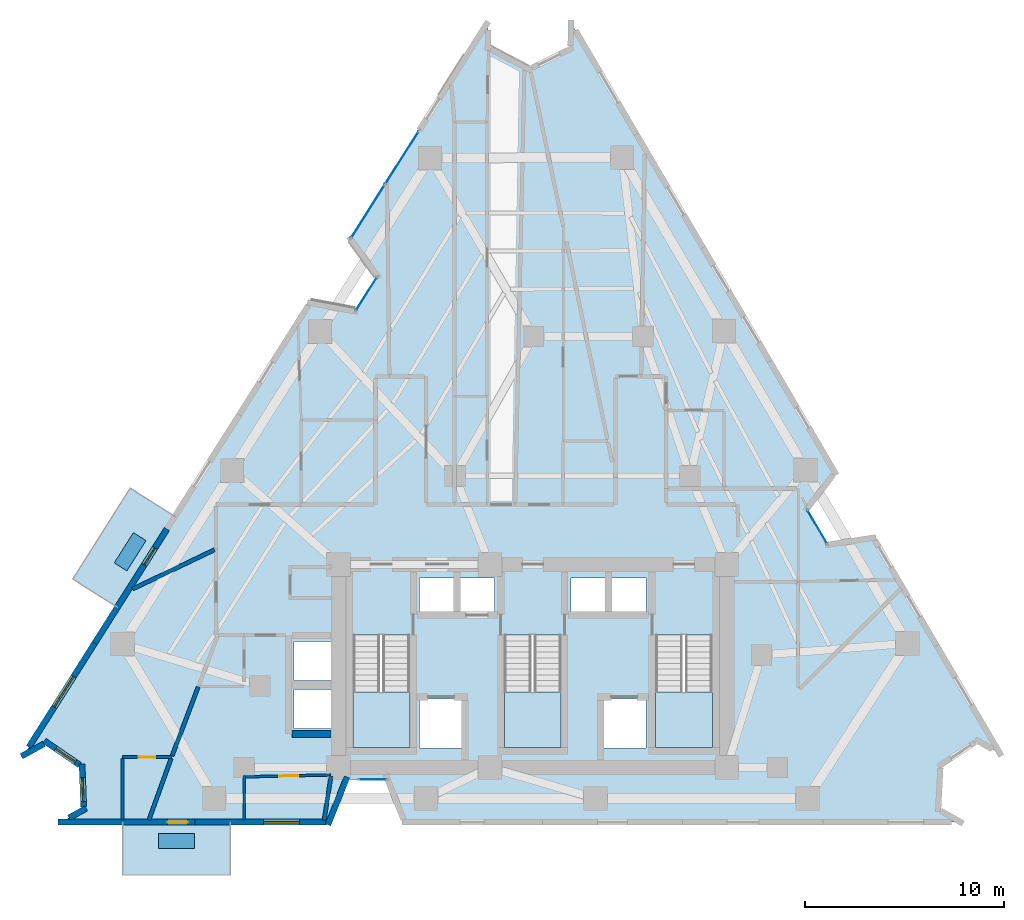
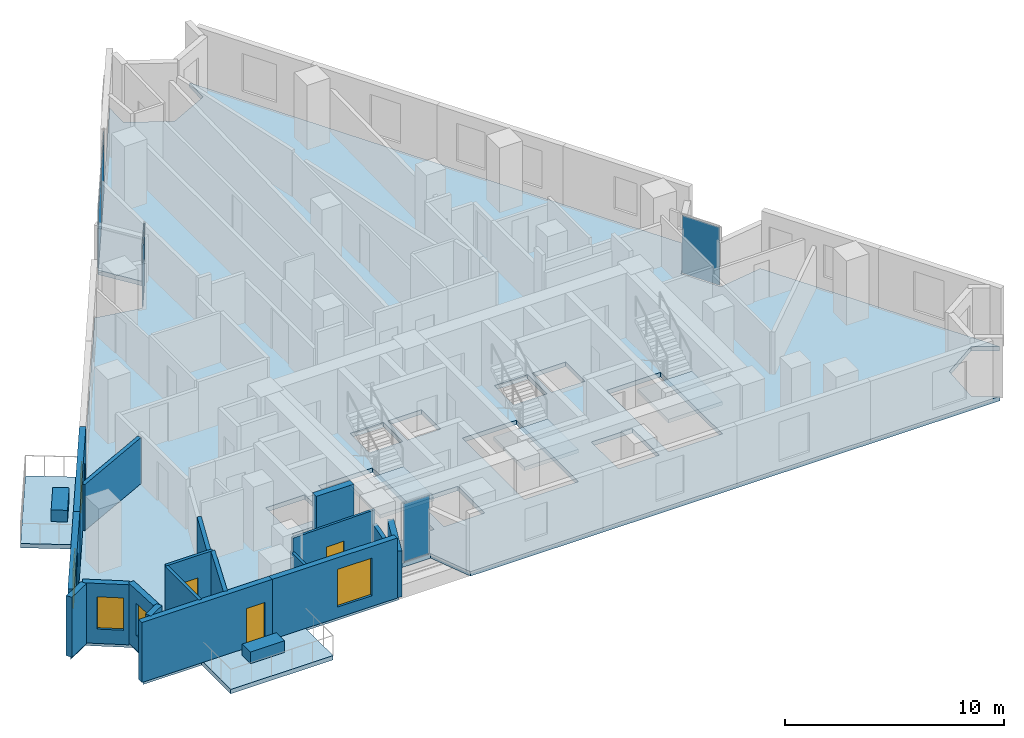
# One storey, part 6 of 12: 18 walls, 7 plates, 6 slabs, 4 doors, 4 windows, 8 openings, 7 elements without a shape of their own.
"""IFC4 building model written with IfcOpenShell, lengths in metres."""

from ifc_helpers import new_model, si_unit, direction, frame, frame_2d, origin, origin_2d, place, context, subcontext, project, spatial, polyline, rectangle, outline, extrude, material, layer, layer_set, type_object, element, fill, aggregate, save


model = new_model("IFC4")

# Units and contexts
model_context = context("Model", 3, precision=1e-05, world=origin(), true_north=direction((0.0, 1.0)))
body_context = subcontext(model_context, "Body", "Model", "MODEL_VIEW")
ifc_project = project(units=[si_unit("LENGTHUNIT", "METRE"), si_unit("AREAUNIT", "SQUARE_METRE"), si_unit("VOLUMEUNIT", "CUBIC_METRE"), si_unit("PLANEANGLEUNIT", "RADIAN"), si_unit("MASSUNIT", "GRAM", prefix="KILO")], contexts=[model_context])

# Site, building, storey
site_placement = place(None, origin())
site = spatial("IfcSite", under=ifc_project, at=site_placement, CompositionType="ELEMENT")
building_placement = place(site_placement, origin())
building = spatial("IfcBuilding", under=site, at=building_placement, Name="Almagre Mirador Tower", CompositionType="ELEMENT")
storey_placement = place(building_placement, frame((0.0, 0.0, 121.199951171875)))
storey = spatial("IfcBuildingStorey", under=building, at=storey_placement, Name="L30", CompositionType="ELEMENT", Elevation=121.199951171875)

# Curtain wall, plate
ifc_material_1 = material(Name="Black anodized aluminium", Category="aluminium")
ifc_layer_1 = layer(ifc_material_1, 0.169921875)
ifc_layer_set_1 = layer_set([ifc_layer_1], Name="Black anodized aluminium")
curtain_wall_type_1 = type_object("IfcCurtainWallType", Name="CW-CRS-SYS", PredefinedType="NOTDEFINED", material=ifc_layer_set_1)
curtain_wall_1_placement = place(storey_placement, origin())
curtain_wall_1 = element("IfcCurtainWall", 1, at=curtain_wall_1_placement, inside=storey, type_object=curtain_wall_type_1, Name="L30 vertical crease curtain wall 01", PredefinedType="NOTDEFINED")
ifc_material_2 = material(Name="Dark solar-control laminated hurricane glass", Category="glass")
ifc_layer_2 = layer(ifc_material_2, 0.028076171875)
ifc_layer_set_2 = layer_set([ifc_layer_2], Name="Dark solar-control laminated hurricane glass")
plate_type_1 = type_object("IfcPlateType", Name="PLT-GLZ-28", PredefinedType="CURTAIN_PANEL", material=ifc_layer_set_2)
plate_1_placement = place(storey_placement, frame((28.947998046875, 28.344482421875, 0.06005859375), z_axis=(0.0, 0.0, 1.0), x_axis=(0.535109014612, 0.844783015029, 0.0)))
plate_1 = element("IfcPlate", 2, at=plate_1_placement, type_object=plate_type_1, Name="CW-4 panel 1.1", PredefinedType="CURTAIN_PANEL", context=body_context, shape_type="SweptSolid", body=[
    extrude(rectangle(XDim=1.96923828125, YDim=0.028076171875, at=origin_2d()), origin(), (0.0, 0.0, 1.0), 3.22998046875),
])
aggregate(curtain_wall_1, [plate_1])

curtain_wall_2_placement = place(storey_placement, origin())
curtain_wall_2 = element("IfcCurtainWall", 3, at=curtain_wall_2_placement, inside=storey, type_object=curtain_wall_type_1, Name="L30 vertical crease curtain wall 03", PredefinedType="NOTDEFINED")
plate_2_placement = place(storey_placement, frame((51.593994140625, 16.638916015625, 0.06005859375), z_axis=(0.0, 0.0, 1.0), x_axis=(0.506308890966, -0.862352194251, 0.0)))
plate_2 = element("IfcPlate", 4, at=plate_2_placement, type_object=plate_type_1, Name="CW-4 panel 1.1", PredefinedType="CURTAIN_PANEL", context=body_context, shape_type="SweptSolid", body=[
    extrude(rectangle(XDim=1.9697265625, YDim=0.028076171875, at=origin_2d()), origin(), (0.0, 0.0, 1.0), 3.22998046875),
])
aggregate(curtain_wall_2, [plate_2])

curtain_wall_3_placement = place(storey_placement, origin())
curtain_wall_3 = element("IfcCurtainWall", 5, at=curtain_wall_3_placement, inside=storey, type_object=curtain_wall_type_1, Name="L30 vertical crease curtain wall 04", PredefinedType="NOTDEFINED")
plate_3_placement = place(storey_placement, frame((29.261474609375, 3.949951171875, 0.06005859375), z_axis=(0.0, 0.0, 1.0), x_axis=(-1.0, 0.0, 0.0)))
plate_3 = element("IfcPlate", 6, at=plate_3_placement, type_object=plate_type_1, Name="CW-4 panel 1.1", PredefinedType="CURTAIN_PANEL", context=body_context, shape_type="SweptSolid", body=[
    extrude(rectangle(XDim=1.383056640625, YDim=0.028076171875, at=origin_2d()), origin(), (0.0, 0.0, 1.0), 3.22998046875),
])
aggregate(curtain_wall_3, [plate_3])

# Curtain wall, plates
ifc_material_3 = material(Name="Black anodized aluminium", Category="aluminium")
ifc_layer_3 = layer(ifc_material_3, 0.199951171875)
ifc_layer_set_3 = layer_set([ifc_layer_3], Name="Black anodized aluminium")
curtain_wall_type_2 = type_object("IfcCurtainWallType", Name="CW-RES-H-SYS", PredefinedType="NOTDEFINED", material=ifc_layer_set_3)
curtain_wall_4_placement = place(storey_placement, origin())
curtain_wall_4 = element("IfcCurtainWall", 7, at=curtain_wall_4_placement, inside=storey, type_object=curtain_wall_type_2, Name="L30 curtain wall run 02", PredefinedType="NOTDEFINED")
ifc_material_4 = material(Name="Dark solar-control laminated hurricane glass", Category="glass")
ifc_layer_4 = layer(ifc_material_4, 0.035888671875)
ifc_layer_set_4 = layer_set([ifc_layer_4], Name="Dark solar-control laminated hurricane glass")
plate_type_2 = type_object("IfcPlateType", Name="PLT-GLZ-36", PredefinedType="CURTAIN_PANEL", material=ifc_layer_set_4)
plate_4_placement = place(storey_placement, frame((29.020751953125, 32.478759765625, 0.06494140625), z_axis=(0.0, 0.0, 1.0), x_axis=(0.534886400976, 0.844923983593, 0.0)))
plate_4 = element("IfcPlate", 8, at=plate_4_placement, type_object=plate_type_2, Name="CW-3 panel 1.1", PredefinedType="CURTAIN_PANEL", context=body_context, shape_type="SweptSolid", body=[
    extrude(rectangle(XDim=3.133544921875, YDim=0.035888671875, at=origin_2d()), origin(), (0.0, 0.0, 1.0), 3.219970703125),
])
plate_5_placement = place(storey_placement, frame((30.731689453125, 35.18115234375, 0.06494140625), z_axis=(0.0, 0.0, 1.0), x_axis=(0.534886400976, 0.844923983593, 0.0)))
plate_5 = element("IfcPlate", 9, at=plate_5_placement, type_object=plate_type_2, Name="CW-3 panel 2.1", PredefinedType="CURTAIN_PANEL", context=body_context, shape_type="SweptSolid", body=[
    extrude(rectangle(XDim=3.133544921875, YDim=0.035888671875, at=origin_2d()), origin(), (0.0, 0.0, 1.0), 3.219970703125),
])
aggregate(curtain_wall_4, [plate_4, plate_5])

# Plates
ifc_material_5 = material(Name="Precast concrete C50/60", Category="concrete")
ifc_layer_5 = layer(ifc_material_5, 0.64990234375)
ifc_layer_set_5 = layer_set([ifc_layer_5], Name="Precast concrete C50/60")
plate_type_3 = type_object("IfcPlateType", Name="PLT-PLANTER-1800", PredefinedType="USERDEFINED", material=ifc_layer_set_5)
for number, where, z_axis, x_axis, name in (
    (10, (19.39990234375, 0.85009765625, 0.0), (0.0, 0.0, 1.0), (1.0, 0.0, 0.0), "L30 south balcony structural tree planter 1"),
    (11, (17.076904296875, 15.387939453125, 0.0), (0.0, 0.0, 1.0), (-0.53486859073, -0.84493525826, 0.0), "L30 west balcony structural tree planter 2"),
):
    element("IfcPlate", number, at=place(storey_placement, frame(where, z_axis=z_axis, x_axis=x_axis)), inside=storey, type_object=plate_type_3, Name=name, ObjectType="PLANTER", PredefinedType="USERDEFINED", context=body_context, shape_type="SweptSolid", body=[
        extrude(rectangle(XDim=1.800048828125, YDim=0.75, at=origin_2d()), origin(), (0.0, 0.0, 1.0), 0.64990234375),
    ])

# Slabs
ifc_material_6 = material(Name="Concrete C45/55", Category="concrete")
ifc_layer_6 = layer(ifc_material_6, 0.239990234375)
ifc_layer_set_6 = layer_set([ifc_layer_6], Name="Concrete C45/55")
slab_type_1 = type_object("IfcSlabType", Name="SLB-BAL-240", PredefinedType="USERDEFINED", material=ifc_layer_set_6)
slab_1_placement = place(storey_placement, frame((0.0, 0.0, -0.239990234375)))
element("IfcSlab", 12, at=slab_1_placement, inside=storey, type_object=slab_type_1, Name="L30 south planted tree balcony 1", ObjectType="BALCONY", PredefinedType="USERDEFINED", context=body_context, shape_type="SweptSolid", body=[
    extrude(outline(polyline([(16.699951171875, 1.820068359375), (22.10009765625, 1.820068359375), (22.10009765625, -0.85009765625), (16.699951171875, -0.85009765625), (16.699951171875, 1.820068359375)])), origin(), (0.0, 0.0, 1.0), 0.239990234375),
])
slab_2_placement = place(storey_placement, frame((0.0, 0.0, -0.239990234375)))
element("IfcSlab", 13, at=slab_2_placement, inside=storey, type_object=slab_type_1, Name="L30 west planted tree balcony 2", ObjectType="BALCONY", PredefinedType="USERDEFINED", context=body_context, shape_type="SweptSolid", body=[
    extrude(outline(polyline([(19.341064453125, 17.14990234375), (16.452880859375, 12.587890625), (14.197021484375, 14.01611328125), (17.0849609375, 18.5791015625), (19.341064453125, 17.14990234375)])), origin(), (0.0, 0.0, 1.0), 0.239990234375),
])
ifc_material_7 = material(Name="Concrete C45/55", Category="concrete")
ifc_layer_7 = layer(ifc_material_7, 0.25)
ifc_layer_set_7 = layer_set([ifc_layer_7], Name="Concrete C45/55")
slab_type_2 = type_object("IfcSlabType", Name="SLB-FLR-250", PredefinedType="FLOOR", material=ifc_layer_set_7)
slab_3_placement = place(storey_placement, frame((0.0, 0.0, -0.25)))
element("IfcSlab", 14, at=slab_3_placement, inside=storey, type_object=slab_type_2, Name="L30 structural floor slab", PredefinedType="FLOOR", context=body_context, shape_type="SweptSolid", body=[
    extrude(outline(polyline([(11.739013671875, 5.179931640625), (12.883056640625, 5.80908203125), (14.6630859375, 4.5869140625), (14.742919921875, 2.428955078125), (13.60009765625, 1.800048828125), (27.068115234375, 1.800048828125), (27.923095703125, 3.949951171875), (30.012939453125, 3.949951171875), (30.867919921875, 1.800048828125), (58.800048828125, 1.800048828125), (57.6669921875, 2.447998046875), (57.783935546875, 4.672119140625), (59.64208984375, 5.89794921875), (60.77490234375, 5.2490234375), (54.409912109375, 16.089111328125), (52.123046875, 15.738037109375), (51.06494140625, 17.5400390625), (52.486083984375, 19.365966796875), (39.22509765625, 41.950927734375), (39.2041015625, 40.64599609375), (37.10302734375, 39.62109375), (35.0390625, 40.715087890625), (35.06103515625, 42.02001953125), (28.14794921875, 31.10009765625), (29.507080078125, 29.22705078125), (28.388916015625, 27.4619140625), (26.114990234375, 27.888916015625), (11.739013671875, 5.179931640625)]), holes=[polyline([(43.47509765625, 5.550048828125), (43.47509765625, 11.196044921875), (46.324951171875, 11.196044921875), (46.324951171875, 5.550048828125), (43.47509765625, 5.550048828125)]), polyline([(40.820068359375, 5.52001953125), (40.820068359375, 7.97998046875), (42.97998046875, 7.97998046875), (42.97998046875, 5.52001953125), (40.820068359375, 5.52001953125)]), polyline([(41.219970703125, 12.320068359375), (41.219970703125, 14.080078125), (42.97998046875, 14.080078125), (42.97998046875, 12.320068359375), (41.219970703125, 12.320068359375)]), polyline([(39.219970703125, 12.320068359375), (39.219970703125, 14.080078125), (40.97998046875, 14.080078125), (40.97998046875, 12.320068359375), (39.219970703125, 12.320068359375)]), polyline([(35.875, 11.196044921875), (38.72509765625, 11.196044921875), (38.72509765625, 5.550048828125), (35.875, 5.550048828125), (35.875, 11.196044921875)]), polyline([(35.3798828125, 12.320068359375), (33.6201171875, 12.320068359375), (33.6201171875, 14.080078125), (35.3798828125, 14.080078125), (35.3798828125, 12.320068359375)]), polyline([(33.780029296875, 5.52001953125), (31.6201171875, 5.52001953125), (31.6201171875, 7.97998046875), (33.780029296875, 7.97998046875), (33.780029296875, 5.52001953125)]), polyline([(31.6201171875, 12.320068359375), (31.6201171875, 14.080078125), (33.3798828125, 14.080078125), (33.3798828125, 12.320068359375), (31.6201171875, 12.320068359375)]), polyline([(28.27490234375, 5.550048828125), (28.27490234375, 11.196044921875), (31.125, 11.196044921875), (31.125, 5.550048828125), (28.27490234375, 5.550048828125)]), polyline([(25.320068359375, 8.919921875), (25.320068359375, 10.8798828125), (27.3798828125, 10.8798828125), (27.3798828125, 8.919921875), (25.320068359375, 8.919921875)]), polyline([(27.3798828125, 6.52001953125), (25.320068359375, 6.52001953125), (25.320068359375, 8.47998046875), (27.3798828125, 8.47998046875), (27.3798828125, 6.52001953125)])]), origin(), (0.0, 0.0, 1.0), 0.25),
])

# Stair, slab
ifc_material_8 = material(Name="Concrete C45/55", Category="concrete")
stair_type = type_object("IfcStairType", Name="STR-DL-3600", PredefinedType="HALF_TURN_STAIR", material=ifc_material_8)
stair_1_placement = place(storey_placement, origin())
stair_1 = element("IfcStair", 15, at=stair_1_placement, inside=storey, type_object=stair_type, Name="L30 Protected exit stair ST-1", PredefinedType="HALF_TURN_STAIR")
ifc_material_9 = material(Name="Concrete C45/55", Category="concrete")
ifc_layer_8 = layer(ifc_material_9, 0.199951171875)
ifc_layer_set_8 = layer_set([ifc_layer_8], Name="Concrete C45/55")
slab_type_3 = type_object("IfcSlabType", Name="SLB-LND-200", PredefinedType="LANDING", material=ifc_layer_set_8)
slab_4_placement = place(storey_placement, frame((0.0, 0.0, 1.60009765625)))
slab_4 = element("IfcSlab", 16, at=slab_4_placement, type_object=slab_type_3, Name="ST-1 landing 1", PredefinedType="LANDING", context=body_context, shape_type="SweptSolid", body=[
    extrude(outline(polyline([(28.27490234375, 8.35009765625), (28.27490234375, 5.550048828125), (31.125, 5.550048828125), (31.125, 8.35009765625), (28.27490234375, 8.35009765625)])), origin(), (0.0, 0.0, 1.0), 0.199951171875),
])
aggregate(stair_1, [slab_4])

stair_2_placement = place(storey_placement, origin())
stair_2 = element("IfcStair", 17, at=stair_2_placement, inside=storey, type_object=stair_type, Name="L30 Protected exit stair ST-2", PredefinedType="HALF_TURN_STAIR")
slab_5_placement = place(storey_placement, frame((0.0, 0.0, 1.60009765625)))
slab_5 = element("IfcSlab", 18, at=slab_5_placement, type_object=slab_type_3, Name="ST-2 landing 1", PredefinedType="LANDING", context=body_context, shape_type="SweptSolid", body=[
    extrude(outline(polyline([(35.875, 8.35009765625), (35.875, 5.550048828125), (38.72509765625, 5.550048828125), (38.72509765625, 8.35009765625), (35.875, 8.35009765625)])), origin(), (0.0, 0.0, 1.0), 0.199951171875),
])
aggregate(stair_2, [slab_5])

stair_3_placement = place(storey_placement, origin())
stair_3 = element("IfcStair", 19, at=stair_3_placement, inside=storey, type_object=stair_type, Name="L30 Protected exit stair ST-3", PredefinedType="HALF_TURN_STAIR")
slab_6_placement = place(storey_placement, frame((0.0, 0.0, 1.60009765625)))
slab_6 = element("IfcSlab", 20, at=slab_6_placement, type_object=slab_type_3, Name="ST-3 landing 1", PredefinedType="LANDING", context=body_context, shape_type="SweptSolid", body=[
    extrude(outline(polyline([(43.47509765625, 8.35009765625), (43.47509765625, 5.550048828125), (46.324951171875, 5.550048828125), (46.324951171875, 8.35009765625), (43.47509765625, 8.35009765625)])), origin(), (0.0, 0.0, 1.0), 0.199951171875),
])
aggregate(stair_3, [slab_6])

# Wall
ifc_material_10 = material(Name="Precast concrete C50/60", Category="concrete")
ifc_layer_9 = layer(ifc_material_10, 0.300048828125)
ifc_layer_set_9 = layer_set([ifc_layer_9], Name="Precast concrete C50/60")
wall_type_1 = type_object("IfcWallType", Name="WAL-EXT-300", PredefinedType="SOLIDWALL", material=ifc_layer_set_9)
wall_1_placement = place(storey_placement, frame((27.974609375, 4.080078125, 0.0), z_axis=(0.0, 0.0, 1.0), x_axis=(-0.369458593648, -0.929247194012, 0.0)))
element("IfcWall", 21, at=wall_1_placement, inside=storey, type_object=wall_type_1, Name="L30 expressed almagre precast frame wall 25", PredefinedType="SOLIDWALL", context=body_context, shape_type="SweptSolid", body=[
    extrude(rectangle(XDim=2.59375, YDim=0.300048828125, at=frame_2d((1.296875, 0.0))), origin(), (0.0, 0.0, 1.0), 2.574951171875),
])

# Wall, opening, window
wall_2_placement = place(storey_placement, frame((26.93310546875, 1.800048828125, 0.0), z_axis=(0.0, 0.0, 1.0), x_axis=(-1.0, 0.0, 0.0)))
wall_2 = element("IfcWall", 22, at=wall_2_placement, inside=storey, type_object=wall_type_1, Name="L30 expressed almagre precast frame wall 26", PredefinedType="SOLIDWALL", context=body_context, shape_type="SweptSolid", body=[
    extrude(rectangle(XDim=6.59912109375, YDim=0.300048828125, at=frame_2d((3.299560546875, 0.0))), origin(), (0.0, 0.0, 1.0), 3.35009765625),
])
opening_1_placement = place(wall_2_placement, frame((1.35009765625, 0.0, 0.60009765625)))
opening_1 = element("IfcOpeningElement", 23, at=opening_1_placement, cuts=wall_2, Name="Opening WN-01", PredefinedType="OPENING", context=body_context, shape_type="SweptSolid", body=[
    extrude(rectangle(XDim=1.800048828125, YDim=2.10009765625, at=frame_2d((0.89990234375, 1.050048828125))), frame((0.0, 0.159902, 0.0), z_axis=(0.0, -1.0, 0.0), x_axis=(1.0, 0.0, 0.0)), (0.0, 0.0, 1.0), 0.320049),
])
ifc_material_11 = material(Name="Dark solar-control laminated hurricane glass", Category="glass")
window_type_1 = type_object("IfcWindowType", Name="WIN-1800X2100", PartitioningType="DOUBLE_PANEL_VERTICAL", PredefinedType="WINDOW", material=ifc_material_11)
window_1_placement = place(opening_1_placement, origin())
window_1 = element("IfcWindow", 24, at=window_1_placement, inside=storey, type_object=window_type_1, Name="L30 recessed hurricane window L30-UB-KT", OverallHeight=2.10009765625, OverallWidth=1.800048828125, PartitioningType="SINGLE_PANEL", PredefinedType="WINDOW", context=body_context, shape_type="SweptSolid", body=[
    extrude(rectangle(XDim=1.800048828125, YDim=2.10009765625, at=frame_2d((0.89990234375, 1.050048828125))), frame((0.0, 0.030029296875, 0.0), z_axis=(0.0, -1.0, 0.0), x_axis=(1.0, 0.0, 0.0)), (0.0, 0.0, 1.0), 0.06005859375),
])
fill(opening_1, window_1)

# Wall, opening, door
wall_3_placement = place(storey_placement, frame((20.333984375, 1.800048828125, 0.0), z_axis=(0.0, 0.0, 1.0), x_axis=(-1.0, 0.0, 0.0)))
wall_3 = element("IfcWall", 25, at=wall_3_placement, inside=storey, type_object=wall_type_1, Name="L30 expressed almagre precast frame wall 27", PredefinedType="SOLIDWALL", context=body_context, shape_type="SweptSolid", body=[
    extrude(rectangle(XDim=6.8740234375, YDim=0.300048828125, at=frame_2d((3.43701171875, 0.0))), origin(), (0.0, 0.0, 1.0), 3.35009765625),
])
opening_2_placement = place(wall_3_placement, frame((0.370849609375, 0.0, 0.0)))
opening_2 = element("IfcOpeningElement", 26, at=opening_2_placement, cuts=wall_3, Name="Opening BD-01", PredefinedType="OPENING", context=body_context, shape_type="SweptSolid", body=[
    extrude(rectangle(XDim=1.0, YDim=2.199951171875, at=frame_2d((0.5, 1.10009765625))), frame((0.0, 0.159902, 0.0), z_axis=(0.0, -1.0, 0.0), x_axis=(1.0, 0.0, 0.0)), (0.0, 0.0, 1.0), 0.320049),
])
ifc_material_12 = material(Name="Black anodized aluminium and laminated glass", Category="aluminium")
door_type_1 = type_object("IfcDoorType", Name="DOR-BAL-1000X2200", OperationType="NOTDEFINED", PredefinedType="DOOR", material=ifc_material_12)
door_1_placement = place(opening_2_placement, origin())
door_1 = element("IfcDoor", 27, at=door_1_placement, inside=storey, type_object=door_type_1, Name="DR-0981 L30 south balcony glazed door 1", OperationType="SINGLE_SWING_RIGHT", OverallHeight=2.199951171875, OverallWidth=1.0, PredefinedType="DOOR", context=body_context, shape_type="SweptSolid", body=[
    extrude(rectangle(XDim=1.0, YDim=2.199951171875, at=frame_2d((0.5, 1.10009765625))), frame((0.0, 0.02490234375, 0.0), z_axis=(0.0, -1.0, 0.0), x_axis=(1.0, 0.0, 0.0)), (0.0, 0.0, 1.0), 0.050048828125),
])
fill(opening_2, door_1)

# Wall
wall_4_placement = place(storey_placement, frame((14.00732421875, 2.024169921875, 0.0), z_axis=(0.0, 0.0, 1.0), x_axis=(0.876089618579, 0.482148296914, 0.0)))
element("IfcWall", 28, at=wall_4_placement, inside=storey, type_object=wall_type_1, Name="L30 expressed almagre precast frame wall 28", PredefinedType="SOLIDWALL", context=body_context, shape_type="SweptSolid", body=[
    extrude(rectangle(XDim=0.979736328125, YDim=0.300048828125, at=frame_2d((0.48974609375, 0.0))), origin(), (0.0, 0.0, 1.0), 3.35009765625),
])

# Wall, opening, window
wall_5_placement = place(storey_placement, frame((14.737548828125, 2.578857421875, 0.0), z_axis=(0.0, 0.0, 1.0), x_axis=(-0.037141892545, 0.99931000186, 0.0)))
wall_5 = element("IfcWall", 29, at=wall_5_placement, inside=storey, type_object=wall_type_1, Name="L30 expressed almagre precast frame wall 29", PredefinedType="SOLIDWALL", context=body_context, shape_type="SweptSolid", body=[
    extrude(rectangle(XDim=2.1494140625, YDim=0.300048828125, at=frame_2d((1.07470703125, 0.0))), origin(), (0.0, 0.0, 1.0), 3.35009765625),
])
opening_3_placement = place(wall_5_placement, frame((0.260009765625, 0.0, 0.800048828125)))
opening_3 = element("IfcOpeningElement", 30, at=opening_3_placement, cuts=wall_5, Name="Opening WN-04", PredefinedType="OPENING", context=body_context, shape_type="SweptSolid", body=[
    extrude(rectangle(XDim=1.199951171875, YDim=1.800048828125, at=frame_2d((0.60009765625, 0.89990234375))), frame((0.0, 0.159902, 0.0), z_axis=(0.0, -1.0, 0.0), x_axis=(1.0, 0.0, 0.0)), (0.0, 0.0, 1.0), 0.320049),
])
ifc_material_13 = material(Name="Dark solar-control laminated hurricane glass", Category="glass")
window_type_2 = type_object("IfcWindowType", Name="WIN-1200X1800", PartitioningType="SINGLE_PANEL", PredefinedType="WINDOW", material=ifc_material_13)
window_2_placement = place(opening_3_placement, origin())
window_2 = element("IfcWindow", 31, at=window_2_placement, inside=storey, type_object=window_type_2, Name="L30 recessed hurricane window L30-UA-KT", OverallHeight=1.800048828125, OverallWidth=1.199951171875, PartitioningType="SINGLE_PANEL", PredefinedType="WINDOW", context=body_context, shape_type="SweptSolid", body=[
    extrude(rectangle(XDim=1.199951171875, YDim=1.800048828125, at=frame_2d((0.60009765625, 0.89990234375))), frame((0.0, 0.030029296875, 0.0), z_axis=(0.0, -1.0, 0.0), x_axis=(1.0, 0.0, 0.0)), (0.0, 0.0, 1.0), 0.06005859375),
])
fill(opening_3, window_2)

wall_6_placement = place(storey_placement, frame((14.539306640625, 4.671875, 0.0), z_axis=(0.0, 0.0, 1.0), x_axis=(-0.824422928204, 0.565974235678, 0.0)))
wall_6 = element("IfcWall", 32, at=wall_6_placement, inside=storey, type_object=wall_type_1, Name="L30 expressed almagre precast frame wall 30", PredefinedType="SOLIDWALL", context=body_context, shape_type="SweptSolid", body=[
    extrude(rectangle(XDim=2.149169921875, YDim=0.300048828125, at=frame_2d((1.07470703125, 0.0))), origin(), (0.0, 0.0, 1.0), 3.35009765625),
])
opening_4_placement = place(wall_6_placement, frame((0.260009765625, 0.0, 0.800048828125)))
opening_4 = element("IfcOpeningElement", 33, at=opening_4_placement, cuts=wall_6, Name="Opening WN-04", PredefinedType="OPENING", context=body_context, shape_type="SweptSolid", body=[
    extrude(rectangle(XDim=1.199951171875, YDim=1.800048828125, at=frame_2d((0.60009765625, 0.89990234375))), frame((0.0, 0.159902, 0.0), z_axis=(0.0, -1.0, 0.0), x_axis=(1.0, 0.0, 0.0)), (0.0, 0.0, 1.0), 0.320049),
])
window_3_placement = place(opening_4_placement, origin())
window_3 = element("IfcWindow", 34, at=window_3_placement, inside=storey, type_object=window_type_2, Name="L30 recessed hurricane window L30-UA-KT", OverallHeight=1.800048828125, OverallWidth=1.199951171875, PartitioningType="SINGLE_PANEL", PredefinedType="WINDOW", context=body_context, shape_type="SweptSolid", body=[
    extrude(rectangle(XDim=1.199951171875, YDim=1.800048828125, at=frame_2d((0.60009765625, 0.89990234375))), frame((0.0, 0.030029296875, 0.0), z_axis=(0.0, -1.0, 0.0), x_axis=(1.0, 0.0, 0.0)), (0.0, 0.0, 1.0), 0.06005859375),
])
fill(opening_4, window_3)

# Wall
wall_7_placement = place(storey_placement, frame((12.751708984375, 5.73681640625, 0.0), z_axis=(0.0, 0.0, 1.0), x_axis=(-0.876299432815, -0.481766856527, 0.0)))
element("IfcWall", 35, at=wall_7_placement, inside=storey, type_object=wall_type_1, Name="L30 expressed almagre precast frame wall 31", PredefinedType="SOLIDWALL", context=body_context, shape_type="SweptSolid", body=[
    extrude(rectangle(XDim=1.2958984375, YDim=0.300048828125, at=frame_2d((0.64794921875, 0.0))), origin(), (0.0, 0.0, 1.0), 3.35009765625),
])

# Wall, opening, window
wall_8_placement = place(storey_placement, frame((11.98779296875, 5.572998046875, 0.0), z_axis=(0.0, 0.0, 1.0), x_axis=(0.534894283056, 0.844918993723, 0.0)))
wall_8 = element("IfcWall", 36, at=wall_8_placement, inside=storey, type_object=wall_type_1, Name="L30 expressed almagre precast frame wall 32", PredefinedType="SOLIDWALL", context=body_context, shape_type="SweptSolid", body=[
    extrude(rectangle(XDim=6.18408203125, YDim=0.300048828125, at=frame_2d((3.092041015625, 0.0))), origin(), (0.0, 0.0, 1.0), 3.35009765625),
])
opening_5_placement = place(wall_8_placement, frame((2.39501953125, 0.0, 0.60009765625)))
opening_5 = element("IfcOpeningElement", 37, at=opening_5_placement, cuts=wall_8, Name="Opening WN-01", PredefinedType="OPENING", context=body_context, shape_type="SweptSolid", body=[
    extrude(rectangle(XDim=1.800048828125, YDim=2.10009765625, at=frame_2d((0.89990234375, 1.050048828125))), frame((0.0, 0.159902, 0.0), z_axis=(0.0, -1.0, 0.0), x_axis=(1.0, 0.0, 0.0)), (0.0, 0.0, 1.0), 0.320049),
])
window_4_placement = place(opening_5_placement, origin())
window_4 = element("IfcWindow", 38, at=window_4_placement, inside=storey, type_object=window_type_1, Name="L30 recessed hurricane window L30-UA-KT", OverallHeight=2.10009765625, OverallWidth=1.800048828125, PartitioningType="SINGLE_PANEL", PredefinedType="WINDOW", context=body_context, shape_type="SweptSolid", body=[
    extrude(rectangle(XDim=1.800048828125, YDim=2.10009765625, at=frame_2d((0.89990234375, 1.050048828125))), frame((0.0, 0.030029296875, 0.0), z_axis=(0.0, -1.0, 0.0), x_axis=(1.0, 0.0, 0.0)), (0.0, 0.0, 1.0), 0.06005859375),
])
fill(opening_5, window_4)

# Wall, opening, door
wall_9_placement = place(storey_placement, frame((15.295654296875, 10.798095703125, 0.0), z_axis=(0.0, 0.0, 1.0), x_axis=(0.534877542647, 0.84492959137, 0.0)))
wall_9 = element("IfcWall", 39, at=wall_9_placement, inside=storey, type_object=wall_type_1, Name="L30 expressed almagre precast frame wall 33", PredefinedType="SOLIDWALL", context=body_context, shape_type="SweptSolid", body=[
    extrude(rectangle(XDim=6.7890625, YDim=0.300048828125, at=frame_2d((3.39453125, 0.0))), origin(), (0.0, 0.0, 1.0), 3.35009765625),
])
opening_6_placement = place(wall_9_placement, frame((4.65771484375, 0.0, 0.0)))
opening_6 = element("IfcOpeningElement", 40, at=opening_6_placement, cuts=wall_9, Name="Opening BD-01", PredefinedType="OPENING", context=body_context, shape_type="SweptSolid", body=[
    extrude(rectangle(XDim=1.0, YDim=2.199951171875, at=frame_2d((0.5, 1.10009765625))), frame((0.0, 0.159902, 0.0), z_axis=(0.0, -1.0, 0.0), x_axis=(1.0, 0.0, 0.0)), (0.0, 0.0, 1.0), 0.320049),
])
door_2_placement = place(opening_6_placement, origin())
door_2 = element("IfcDoor", 41, at=door_2_placement, inside=storey, type_object=door_type_1, Name="DR-0982 L30 west balcony glazed door 2", OperationType="SINGLE_SWING_RIGHT", OverallHeight=2.199951171875, OverallWidth=1.0, PredefinedType="DOOR", context=body_context, shape_type="SweptSolid", body=[
    extrude(rectangle(XDim=1.0, YDim=2.199951171875, at=frame_2d((0.5, 1.10009765625))), frame((0.0, 0.02490234375, 0.0), z_axis=(0.0, -1.0, 0.0), x_axis=(1.0, 0.0, 0.0)), (0.0, 0.0, 1.0), 0.050048828125),
])
fill(opening_6, door_2)

ifc_material_14 = material(Name="Gypsum acoustic stud partition", Category="other")
ifc_layer_10 = layer(ifc_material_14, 0.125)
ifc_layer_set_10 = layer_set([ifc_layer_10], Name="Gypsum acoustic stud partition")
wall_type_2 = type_object("IfcWallType", Name="WAL-PRT-125-UTL", PredefinedType="PARTITIONING", material=ifc_layer_set_10)
wall_10_placement = place(storey_placement, frame((22.800048828125, 4.080078125, 0.0), z_axis=(0.0, 0.0, 1.0), x_axis=(0.999764473519, 0.021702476574, 0.0)))
wall_10 = element("IfcWall", 42, at=wall_10_placement, inside=storey, type_object=wall_type_2, Name="L30 interior partition 034", PredefinedType="PARTITIONING", context=body_context, shape_type="SweptSolid", body=[
    extrude(rectangle(XDim=4.3759765625, YDim=0.125, at=frame_2d((2.18798828125, 0.0))), origin(), (0.0, 0.0, 1.0), 3.35009765625),
])
opening_7_placement = place(wall_10_placement, frame((1.771240234375, 0.0, 0.0)))
opening_7 = element("IfcOpeningElement", 43, at=opening_7_placement, cuts=wall_10, Name="Opening UD-01", PredefinedType="OPENING", context=body_context, shape_type="SweptSolid", body=[
    extrude(rectangle(XDim=0.949951171875, YDim=2.199951171875, at=frame_2d((0.47509765625, 1.10009765625))), frame((0.0, 0.0725, 0.0), z_axis=(0.0, -1.0, 0.0), x_axis=(1.0, 0.0, 0.0)), (0.0, 0.0, 1.0), 0.145),
])
ifc_material_15 = material(Name="Solid American walnut timber", Category="wood")
door_type_2 = type_object("IfcDoorType", Name="DOR-UNR-950X2200", OperationType="NOTDEFINED", PredefinedType="DOOR", material=ifc_material_15)
door_3_placement = place(opening_7_placement, origin())
door_3 = element("IfcDoor", 44, at=door_3_placement, inside=storey, type_object=door_type_2, Name="DR-0993 L30 interior door L30-UB-LV to L30-UB-KT", OperationType="SINGLE_SWING_RIGHT", OverallHeight=2.199951171875, OverallWidth=0.949951171875, PredefinedType="DOOR", context=body_context, shape_type="SweptSolid", body=[
    extrude(rectangle(XDim=0.949951171875, YDim=2.199951171875, at=frame_2d((0.47509765625, 1.10009765625))), frame((0.0, 0.02490234375, 0.0), z_axis=(0.0, -1.0, 0.0), x_axis=(1.0, 0.0, 0.0)), (0.0, 0.0, 1.0), 0.050048828125),
])
fill(opening_7, door_3)

# Wall
wall_11_placement = place(storey_placement, frame((22.800048828125, 4.14990234375, 0.0), z_axis=(0.0, 0.0, 1.0), x_axis=(0.0, -1.0, 0.0)))
element("IfcWall", 45, at=wall_11_placement, inside=storey, type_object=wall_type_2, Name="L30 interior partition 037", PredefinedType="PARTITIONING", context=body_context, shape_type="SweptSolid", body=[
    extrude(rectangle(XDim=2.25, YDim=0.125, at=frame_2d((1.125, 0.0))), origin(), (0.0, 0.0, 1.0), 2.570068359375),
])

# Wall, opening, door
ifc_material_16 = material(Name="Gypsum acoustic stud partition", Category="other")
ifc_layer_11 = layer(ifc_material_16, 0.14990234375)
ifc_layer_set_11 = layer_set([ifc_layer_11], Name="Gypsum acoustic stud partition")
wall_type_3 = type_object("IfcWallType", Name="WAL-PRT-150-STD", PredefinedType="PARTITIONING", material=ifc_layer_set_11)
wall_12_placement = place(storey_placement, frame((16.68994140625, 5.070068359375, 0.0), z_axis=(0.0, 0.0, 1.0), x_axis=(1.0, 0.0, 0.0)))
wall_12 = element("IfcWall", 46, at=wall_12_placement, inside=storey, type_object=wall_type_3, Name="L30 interior partition 027", PredefinedType="PARTITIONING", context=body_context, shape_type="SweptSolid", body=[
    extrude(rectangle(XDim=2.469970703125, YDim=0.14990234375, at=frame_2d((1.23486328125, 0.0))), origin(), (0.0, 0.0, 1.0), 3.35009765625),
])
opening_8_placement = place(wall_12_placement, frame((0.81005859375, 0.0, 0.0)))
opening_8 = element("IfcOpeningElement", 47, at=opening_8_placement, cuts=wall_12, Name="Opening UD-04", PredefinedType="OPENING", context=body_context, shape_type="SweptSolid", body=[
    extrude(rectangle(XDim=0.85009765625, YDim=2.10009765625, at=frame_2d((0.425048828125, 1.050048828125))), frame((0.0, 0.084951, 0.0), z_axis=(0.0, -1.0, 0.0), x_axis=(1.0, 0.0, 0.0)), (0.0, 0.0, 1.0), 0.169902),
])
ifc_material_17 = material(Name="Moisture-resistant oak timber", Category="wood")
door_type_3 = type_object("IfcDoorType", Name="DOR-UNR-850X2100", OperationType="NOTDEFINED", PredefinedType="DOOR", material=ifc_material_17)
door_4_placement = place(opening_8_placement, origin())
door_4 = element("IfcDoor", 48, at=door_4_placement, inside=storey, type_object=door_type_3, Name="DR-0991 L30 interior door L30-UA-ST to L30-UA-BT", OperationType="SINGLE_SWING_RIGHT", OverallHeight=2.10009765625, OverallWidth=0.85009765625, PredefinedType="DOOR", context=body_context, shape_type="SweptSolid", body=[
    extrude(rectangle(XDim=0.85009765625, YDim=2.10009765625, at=frame_2d((0.425048828125, 1.050048828125))), frame((0.0, 0.02490234375, 0.0), z_axis=(0.0, -1.0, 0.0), x_axis=(1.0, 0.0, 0.0)), (0.0, 0.0, 1.0), 0.050048828125),
])
fill(opening_8, door_4)

# Walls
wall_13_placement = place(storey_placement, frame((16.68994140625, 1.89990234375, 0.0), z_axis=(0.0, 0.0, 1.0), x_axis=(0.0, 1.0, 0.0)))
element("IfcWall", 49, at=wall_13_placement, inside=storey, type_object=wall_type_3, Name="L30 interior partition 031", PredefinedType="PARTITIONING", context=body_context, shape_type="SweptSolid", body=[
    extrude(rectangle(XDim=3.110107421875, YDim=0.14990234375, at=frame_2d((1.55517578125, 0.0))), origin(), (0.0, 0.0, 1.0), 3.35009765625),
])
ifc_material_18 = material(Name="Gypsum acoustic stud partition", Category="other")
ifc_layer_12 = layer(ifc_material_18, 0.199951171875)
ifc_layer_set_12 = layer_set([ifc_layer_12], Name="Gypsum acoustic stud partition")
wall_type_4 = type_object("IfcWallType", Name="WAL-PRT-200-EI60", PredefinedType="PARTITIONING", material=ifc_layer_set_12)
wall_14_placement = place(storey_placement, frame((19.18115234375, 5.126220703125, 0.0), z_axis=(0.0, 0.0, 1.0), x_axis=(0.354037743034, 0.935231135339, 0.0)))
element("IfcWall", 50, at=wall_14_placement, inside=storey, type_object=wall_type_4, Name="L30 interior partition 029", PredefinedType="PARTITIONING", context=body_context, shape_type="SweptSolid", body=[
    extrude(rectangle(XDim=3.72509765625, YDim=0.199951171875, at=frame_2d((1.862548828125, 0.0))), origin(), (0.0, 0.0, 1.0), 2.570068359375),
])
wall_15_placement = place(storey_placement, frame((21.32373046875, 15.49267578125, 0.0), z_axis=(0.0, 0.0, 1.0), x_axis=(-0.901578855608, -0.432614802244, 0.0)))
element("IfcWall", 51, at=wall_15_placement, inside=storey, type_object=wall_type_4, Name="L30 interior partition 030", PredefinedType="PARTITIONING", context=body_context, shape_type="SweptSolid", body=[
    extrude(rectangle(XDim=4.573974609375, YDim=0.199951171875, at=frame_2d((2.287109375, 0.0))), origin(), (0.0, 0.0, 1.0), 2.570068359375),
])
wall_16_placement = place(storey_placement, frame((18.01611328125, 1.906982421875, 0.0), z_axis=(0.0, 0.0, 1.0), x_axis=(0.340027621293, 0.940415449021, 0.0)))
element("IfcWall", 52, at=wall_16_placement, inside=storey, type_object=wall_type_4, Name="L30 interior partition 032", PredefinedType="PARTITIONING", context=body_context, shape_type="SweptSolid", body=[
    extrude(rectangle(XDim=3.303466796875, YDim=0.199951171875, at=frame_2d((1.65185546875, 0.0))), origin(), (0.0, 0.0, 1.0), 3.35009765625),
])
wall_17_placement = place(storey_placement, frame((26.821044921875, 1.89794921875, 0.0), z_axis=(0.0, 0.0, 1.0), x_axis=(0.153495770489, 0.988149304732, 0.0)))
element("IfcWall", 53, at=wall_17_placement, inside=storey, type_object=wall_type_4, Name="L30 interior partition 038", PredefinedType="PARTITIONING", context=body_context, shape_type="SweptSolid", body=[
    extrude(rectangle(XDim=2.257080078125, YDim=0.199951171875, at=frame_2d((1.12841796875, 0.0))), origin(), (0.0, 0.0, 1.0), 2.570068359375),
])
ifc_material_19 = material(Name="Concrete C60/75", Category="concrete")
ifc_layer_13 = layer(ifc_material_19, 0.35009765625)
ifc_layer_set_13 = layer_set([ifc_layer_13], Name="Concrete C60/75")
wall_type_5 = type_object("IfcWallType", Name="WAL-SHF-350", PredefinedType="SOLIDWALL", material=ifc_layer_set_13)
wall_18_placement = place(storey_placement, frame((25.199951171875, 6.22509765625, 0.0), z_axis=(0.0, 0.0, 1.0), x_axis=(1.0, 0.0, 0.0)))
element("IfcWall", 54, at=wall_18_placement, inside=storey, type_object=wall_type_5, Name="L30 shaft wall OL-S", PredefinedType="SOLIDWALL", context=body_context, shape_type="SweptSolid", body=[
    extrude(rectangle(XDim=1.97509765625, YDim=0.35009765625, at=frame_2d((0.987548828125, 0.0))), origin(), (0.0, 0.0, 1.0), 3.60009765625),
])

save(model, "model.ifc")
